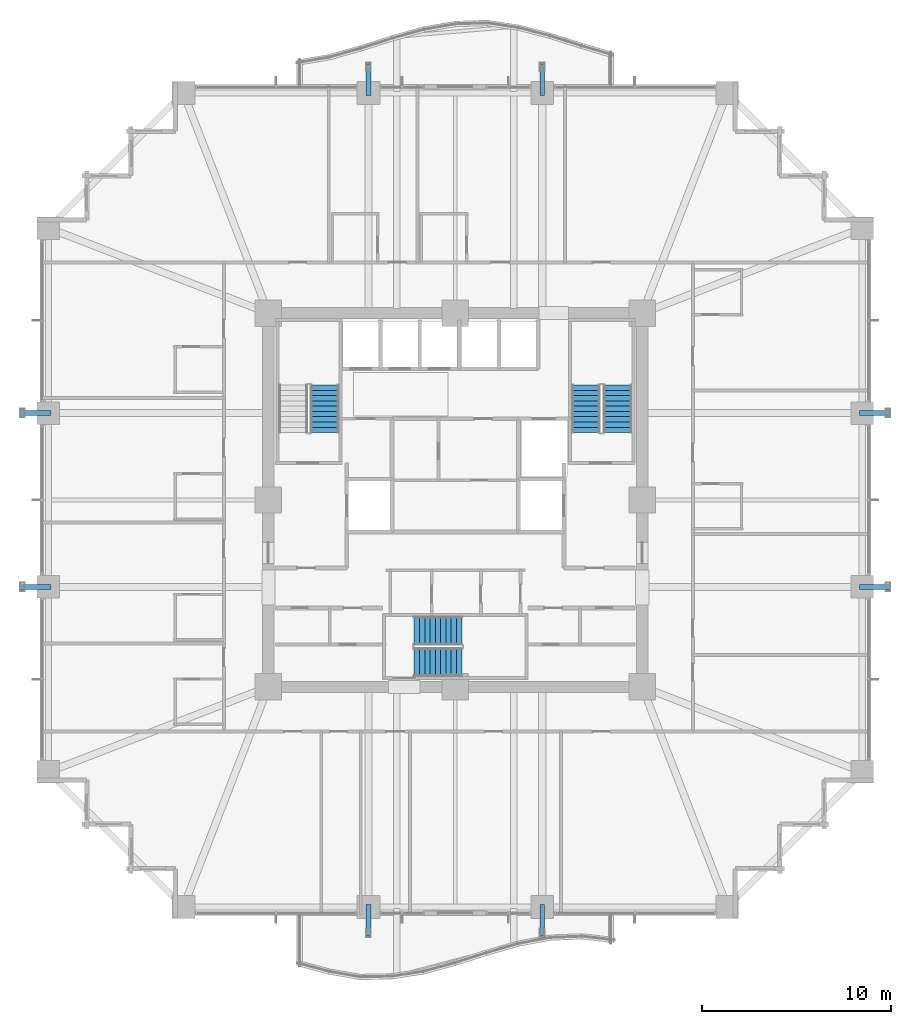
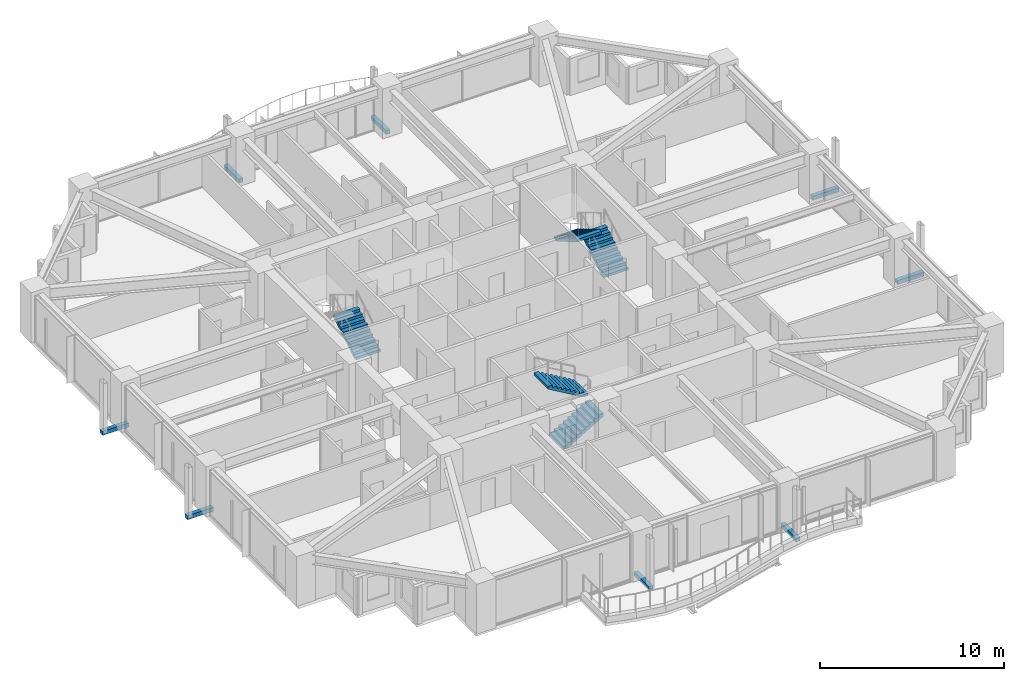
# One storey, part 36 of 38: 8 discrete accessories, 5 stair flights, 3 elements without a shape of their own.
"""IFC4 building model written with IfcOpenShell, lengths in metres."""

import ifcopenshell
import ifcopenshell.guid

model = None  # the IFC model being written
_history = None  # IfcOwnerHistory: only IFC2X3 demands one
_inside = {}  # id of a spatial element -> (the spatial element, [elements in it])
_under = {}  # id of a project, library or spatial element -> (it, [spatial elements below it])
_declared = {}  # id of a project -> (the project, [libraries it declares])
_typed = {}  # id of a type object -> (the type object, [elements of that type])
_made_of = {}  # id of a material, layer set ... -> (it, [elements and type objects made of it])


def new_model(schema):
    """Start an empty IFC model of exactly this schema.

    Asked for "IFC4X3", IfcOpenShell would pick the latest addendum, in which some entities
    have other attributes; the version numbers below select the first issue.
    IFC2X3 requires an IfcOwnerHistory on every rooted entity: one is made here for all.
    """
    global model, _history
    if schema == "IFC4X3":
        model = ifcopenshell.file(schema_version=(4, 3, 0, 0))
    else:
        model = ifcopenshell.file(schema=schema)
    _inside.clear()
    _under.clear()
    _declared.clear()
    _typed.clear()
    _made_of.clear()
    _history = None
    if model.schema == "IFC2X3":
        org = make("IfcOrganization", Name="unknown")
        user = make(
            "IfcPersonAndOrganization",
            ThePerson=make("IfcPerson", FamilyName="unknown"),
            TheOrganization=org,
        )
        app = make(
            "IfcApplication",
            ApplicationDeveloper=org,
            Version="unknown",
            ApplicationFullName="unknown",
            ApplicationIdentifier="unknown",
        )
        _history = make(
            "IfcOwnerHistory",
            OwningUser=user,
            OwningApplication=app,
            ChangeAction="ADDED",
            CreationDate=0,
        )
    return model


def make(cls, **values):
    """One entity of the class cls with the attributes given. An attribute that is None is left unset."""
    return model.create_entity(
        cls, **{name: value for name, value in values.items() if value is not None}
    )


def rooted(cls, **values):
    """An entity with a GlobalId (a new one), such as an element, a storey or a relation."""
    return make(cls, GlobalId=ifcopenshell.guid.new(), OwnerHistory=_history, **values)


def si_unit(unit_type, name, prefix=None):
    """IfcSIUnit, for example si_unit("LENGTHUNIT", "METRE", prefix="MILLI")."""
    return make("IfcSIUnit", UnitType=unit_type, Prefix=prefix, Name=name)


def assignment(units):
    """IfcUnitAssignment: the units of a project."""
    return None if units is None else make("IfcUnitAssignment", Units=units)


def point(xyz):
    """IfcCartesianPoint."""
    return None if xyz is None else make("IfcCartesianPoint", Coordinates=xyz)


def direction(xyz):
    """IfcDirection."""
    return None if xyz is None else make("IfcDirection", DirectionRatios=xyz)


def frame(location, z_axis=None, x_axis=None):
    """IfcAxis2Placement3D, a coordinate frame: its origin and axes. An axis left out is left unset."""
    return make(
        "IfcAxis2Placement3D",
        Location=point(location),
        Axis=direction(z_axis),
        RefDirection=direction(x_axis),
    )


def frame_2d(location, x_axis=None):
    """IfcAxis2Placement2D, a coordinate frame in the plane: its origin and x axis."""
    return make(
        "IfcAxis2Placement2D", Location=point(location), RefDirection=direction(x_axis)
    )


def origin():
    """The frame at (0, 0, 0) with its axes left unset."""
    return frame((0.0, 0.0, 0.0))


def origin_2d():
    """The frame at (0, 0) in the plane with its x axis left unset."""
    return frame_2d((0.0, 0.0))


def place(relative_to, where):
    """IfcLocalPlacement: puts the frame where relative to a parent placement (None: the world)."""
    return make(
        "IfcLocalPlacement", PlacementRelTo=relative_to, RelativePlacement=where
    )


def context(
    kind, dimensions, precision=None, world=None, true_north=None, identifier=None
):
    """IfcGeometricRepresentationContext, for example the 3D "Model" context."""
    return make(
        "IfcGeometricRepresentationContext",
        ContextIdentifier=identifier,
        ContextType=kind,
        CoordinateSpaceDimension=dimensions,
        Precision=precision,
        WorldCoordinateSystem=world,
        TrueNorth=true_north,
    )


def subcontext(parent, identifier, kind, view, scale=None):
    """IfcGeometricRepresentationSubContext, for example "Body" below "Model"."""
    return make(
        "IfcGeometricRepresentationSubContext",
        ContextIdentifier=identifier,
        ContextType=kind,
        ParentContext=parent,
        TargetScale=scale,
        TargetView=view,
    )


def project(units=None, contexts=None):
    """IfcProject with its units and contexts."""
    return rooted(
        "IfcProject",
        Name="project",
        RepresentationContexts=contexts,
        UnitsInContext=assignment(units),
    )


def spatial(cls, under=None, at=None, **own):
    """A site, building, storey or space (cls), placed at a placement, below another one or the project."""
    s = rooted(cls, ObjectPlacement=at, **own)
    if under is not None:
        _under.setdefault(under.id(), (under, []))[1].append(s)
    return s


def polyline(points):
    """IfcPolyline through the points."""
    return make("IfcPolyline", Points=[point(p) for p in points])


def profile(cls, at=None, kind="AREA", **sizes):
    """A parametric profile (cls). Its sizes go by their IFC names, for example OverallWidth=200.0."""
    return make(cls, ProfileType=kind, Position=at, **sizes)


def rectangle(**sizes):
    """IfcRectangleProfileDef."""
    return profile("IfcRectangleProfileDef", **sizes)


def outline(outer, holes=None, kind="AREA"):
    """IfcArbitraryClosedProfileDef: a profile drawn as a closed curve; with holes, ...WithVoids."""
    if holes is None:
        return make("IfcArbitraryClosedProfileDef", ProfileType=kind, OuterCurve=outer)
    return make(
        "IfcArbitraryProfileDefWithVoids",
        ProfileType=kind,
        OuterCurve=outer,
        InnerCurves=holes,
    )


def extrude(swept, where, along, depth):
    """IfcExtrudedAreaSolid: the profile swept, set in the frame where, extruded along a direction by depth."""
    return make(
        "IfcExtrudedAreaSolid",
        SweptArea=swept,
        Position=where,
        ExtrudedDirection=direction(along),
        Depth=depth,
    )


def shape(context_of_items, identifier, shape_type, items):
    """IfcShapeRepresentation: the items that make up one representation, for example the "Body"."""
    return make(
        "IfcShapeRepresentation",
        ContextOfItems=context_of_items,
        RepresentationIdentifier=identifier,
        RepresentationType=shape_type,
        Items=items,
    )


def material(Name=None, Category=None):
    """IfcMaterial."""
    return make("IfcMaterial", Name=Name, Category=Category)


def made_of(thing, what):
    """Note that an element or type object is made of a material, layer set ...; save() writes the relation."""
    if what is not None:
        _made_of.setdefault(what.id(), (what, []))[1].append(thing)
    return thing


def type_object(cls, material=None, **own):
    """A type object (cls), such as IfcWallType, which elements share."""
    return made_of(rooted(cls, **own), material)


def element(
    cls,
    number,
    at=None,
    inside=None,
    cuts=None,
    type_object=None,
    material=None,
    context=None,
    identifier="Body",
    shape_type=None,
    held_by="IfcProductDefinitionShape",
    body=None,
    shapes=None,
    **own,
):
    """One element of the class cls, such as IfcWall. Its Tag is "e" and its number.

    at: its placement. inside: the storey or other place that contains it. cuts: it is an
    opening in that element (IfcRelVoidsElement). A single representation is given by context,
    identifier, shape_type and body (its items); several are given by shapes. held_by: the class
    of the entity that holds the representations. save() writes the other relations.
    """
    e = rooted(cls, Tag="e%d" % number, ObjectPlacement=at, **own)
    if body is not None:
        shapes = [shape(context, identifier, shape_type, body)]
    if shapes is not None:
        e.Representation = make(held_by, Representations=shapes)
    if inside is not None:
        _inside.setdefault(inside.id(), (inside, []))[1].append(e)
    if cuts is not None:
        rooted(
            "IfcRelVoidsElement", RelatingBuildingElement=cuts, RelatedOpeningElement=e
        )
    if type_object is not None:
        _typed.setdefault(type_object.id(), (type_object, []))[1].append(e)
    return made_of(e, material)


def aggregate(whole, parts):
    """IfcRelAggregates: a whole, such as a stair, and the parts it consists of."""
    return rooted("IfcRelAggregates", RelatingObject=whole, RelatedObjects=parts)


def save(model, path):
    """Write the relations noted so far, then the file.

    IfcRelAggregates (storeys below a building ...), IfcRelContainedInSpatialStructure (elements
    in a storey), IfcRelDefinesByType, IfcRelAssociatesMaterial and IfcRelDeclares: one each for
    every whole, place, type object, material and project.
    """
    for whole, parts in _under.values():
        aggregate(whole, parts)
    for where, things in _inside.values():
        rooted(
            "IfcRelContainedInSpatialStructure",
            RelatedElements=things,
            RelatingStructure=where,
        )
    for kind, things in _typed.values():
        rooted("IfcRelDefinesByType", RelatedObjects=things, RelatingType=kind)
    for what, things in _made_of.values():
        rooted("IfcRelAssociatesMaterial", RelatedObjects=things, RelatingMaterial=what)
    for by, libraries in _declared.values():
        rooted("IfcRelDeclares", RelatingContext=by, RelatedDefinitions=libraries)
    model.write(path)


model = new_model("IFC4")

# Units and contexts
model_context = context("Model", 3, precision=1e-05, world=origin(), true_north=direction((0.0, 1.0)))
body_context = subcontext(model_context, "Body", "Model", "MODEL_VIEW")
ifc_project = project(units=[si_unit("LENGTHUNIT", "METRE"), si_unit("AREAUNIT", "SQUARE_METRE"), si_unit("VOLUMEUNIT", "CUBIC_METRE"), si_unit("PLANEANGLEUNIT", "RADIAN"), si_unit("MASSUNIT", "GRAM", prefix="KILO")], contexts=[model_context])

# Site, building, storey
site_placement = place(None, origin())
site = spatial("IfcSite", under=ifc_project, at=site_placement, CompositionType="ELEMENT")
building_placement = place(site_placement, origin())
building = spatial("IfcBuilding", under=site, at=building_placement, Name="Kolvaren Belvedere", CompositionType="ELEMENT")
storey_placement = place(building_placement, frame((0.0, 0.0, 50.199951171875)))
storey = spatial("IfcBuildingStorey", under=building, at=storey_placement, Name="L14", CompositionType="ELEMENT", Elevation=50.199951171875)

# Stair, stair flight
ifc_material_1 = material(Name="Concrete C50/60", Category="concrete")
stair_type = type_object("IfcStairType", Name="ST-CORE-1520", PredefinedType="HALF_TURN_STAIR", material=ifc_material_1)
stair_1_placement = place(storey_placement, origin())
stair_1 = element("IfcStair", 1, at=stair_1_placement, inside=storey, type_object=stair_type, Name="L14 Protected Exit Stair ST-1", PredefinedType="HALF_TURN_STAIR")
ifc_material_2 = material(Name="Concrete C50/60", Category="concrete")
stair_flight_type = type_object("IfcStairFlightType", Name="SF-STR-1520", PredefinedType="STRAIGHT", material=ifc_material_2)
stair_flight_1_placement = place(storey_placement, frame((-6.919921875, 3.570068359375, 0.0), z_axis=(0.0, 0.0, 1.0), x_axis=(0.0, 1.0, 0.0)))
stair_flight_1 = element("IfcStairFlight", 2, at=stair_flight_1_placement, type_object=stair_flight_type, Name="ST-1 flight 1", NumberOfRisers=10, NumberOfTreads=9, PredefinedType="STRAIGHT", RiserHeight=0.165, TreadLength=0.28, context=body_context, shape_type="SweptSolid", body=[
    extrude(outline(polyline([(0.0, 0.0), (0.0, 0.1650390625), (0.280029296875, 0.1650390625), (0.280029296875, 0.330078125), (0.56005859375, 0.330078125), (0.56005859375, 0.4951171875), (0.840087890625, 0.4951171875), (0.840087890625, 0.659912109375), (1.1201171875, 0.659912109375), (1.1201171875, 0.824951171875), (1.39990234375, 0.824951171875), (1.39990234375, 0.989990234375), (1.679931640625, 0.989990234375), (1.679931640625, 1.155029296875), (1.9599609375, 1.155029296875), (1.9599609375, 1.320068359375), (2.239990234375, 1.320068359375), (2.239990234375, 1.485107421875), (2.52001953125, 1.485107421875), (2.52001953125, 1.64990234375), (2.52001953125, 1.31103515625), (0.295166015625, 0.0), (0.0, 0.0)])), frame((0.0, 0.760009765625, 0.0), z_axis=(0.0, -1.0, 0.0), x_axis=(1.0, 0.0, 0.0)), (0.0, 0.0, 1.0), 1.52001953125),
])
aggregate(stair_1, [stair_flight_1])

# Stair, stair flights
stair_2_placement = place(storey_placement, origin())
stair_2 = element("IfcStair", 3, at=stair_2_placement, inside=storey, type_object=stair_type, Name="L14 Protected Exit Stair ST-2", PredefinedType="HALF_TURN_STAIR")
stair_flight_2_placement = place(storey_placement, frame((8.590087890625, 3.570068359375, 0.0), z_axis=(0.0, 0.0, 1.0), x_axis=(0.0, 1.0, 0.0)))
stair_flight_2 = element("IfcStairFlight", 4, at=stair_flight_2_placement, type_object=stair_flight_type, Name="ST-2 flight 1", NumberOfRisers=10, NumberOfTreads=9, PredefinedType="STRAIGHT", RiserHeight=0.165, TreadLength=0.28, context=body_context, shape_type="SweptSolid", body=[
    extrude(outline(polyline([(0.0, 0.0), (0.0, 0.1650390625), (0.280029296875, 0.1650390625), (0.280029296875, 0.330078125), (0.56005859375, 0.330078125), (0.56005859375, 0.4951171875), (0.840087890625, 0.4951171875), (0.840087890625, 0.659912109375), (1.1201171875, 0.659912109375), (1.1201171875, 0.824951171875), (1.39990234375, 0.824951171875), (1.39990234375, 0.989990234375), (1.679931640625, 0.989990234375), (1.679931640625, 1.155029296875), (1.9599609375, 1.155029296875), (1.9599609375, 1.320068359375), (2.239990234375, 1.320068359375), (2.239990234375, 1.485107421875), (2.52001953125, 1.485107421875), (2.52001953125, 1.64990234375), (2.52001953125, 1.31103515625), (0.295166015625, 0.0), (0.0, 0.0)])), frame((0.0, 0.760009765625, 0.0), z_axis=(0.0, -1.0, 0.0), x_axis=(1.0, 0.0, 0.0)), (0.0, 0.0, 1.0), 1.52001953125),
])
stair_flight_3_placement = place(storey_placement, frame((6.919921875, 6.090087890625, 1.650146484375), z_axis=(0.0, 0.0, 1.0), x_axis=(0.0, -1.0, 0.0)))
stair_flight_3 = element("IfcStairFlight", 5, at=stair_flight_3_placement, type_object=stair_flight_type, Name="ST-2 flight 2", NumberOfRisers=10, NumberOfTreads=9, PredefinedType="STRAIGHT", RiserHeight=0.165, TreadLength=0.28, context=body_context, shape_type="SweptSolid", body=[
    extrude(outline(polyline([(0.0, 0.0), (0.0, 0.1650390625), (0.280029296875, 0.1650390625), (0.280029296875, 0.330078125), (0.56005859375, 0.330078125), (0.56005859375, 0.4951171875), (0.840087890625, 0.4951171875), (0.840087890625, 0.659912109375), (1.1201171875, 0.659912109375), (1.1201171875, 0.824951171875), (1.39990234375, 0.824951171875), (1.39990234375, 0.989990234375), (1.679931640625, 0.989990234375), (1.679931640625, 1.155029296875), (1.9599609375, 1.155029296875), (1.9599609375, 1.320068359375), (2.239990234375, 1.320068359375), (2.239990234375, 1.485107421875), (2.52001953125, 1.485107421875), (2.52001953125, 1.64990234375), (2.52001953125, 1.31103515625), (0.295166015625, 0.0), (0.0, 0.0)])), frame((0.0, 0.760009765625, 0.0), z_axis=(0.0, -1.0, 0.0), x_axis=(1.0, 0.0, 0.0)), (0.0, 0.0, 1.0), 1.52001953125),
])
aggregate(stair_2, [stair_flight_2, stair_flight_3])

stair_3_placement = place(storey_placement, origin())
stair_3 = element("IfcStair", 6, at=stair_3_placement, inside=storey, type_object=stair_type, Name="L14 Protected Exit Stair ST-3", PredefinedType="HALF_TURN_STAIR")
stair_flight_4_placement = place(storey_placement, frame((-2.179931640625, -8.590087890625, 0.0), z_axis=(0.0, 0.0, 1.0), x_axis=(1.0, 0.0, 0.0)))
stair_flight_4 = element("IfcStairFlight", 7, at=stair_flight_4_placement, type_object=stair_flight_type, Name="ST-3 flight 1", NumberOfRisers=10, NumberOfTreads=9, PredefinedType="STRAIGHT", RiserHeight=0.165, TreadLength=0.28, context=body_context, shape_type="SweptSolid", body=[
    extrude(outline(polyline([(0.0, 0.0), (0.0, 0.1650390625), (0.280029296875, 0.1650390625), (0.280029296875, 0.330078125), (0.56005859375, 0.330078125), (0.56005859375, 0.4951171875), (0.840087890625, 0.4951171875), (0.840087890625, 0.659912109375), (1.1201171875, 0.659912109375), (1.1201171875, 0.824951171875), (1.39990234375, 0.824951171875), (1.39990234375, 0.989990234375), (1.679931640625, 0.989990234375), (1.679931640625, 1.155029296875), (1.9599609375, 1.155029296875), (1.9599609375, 1.320068359375), (2.239990234375, 1.320068359375), (2.239990234375, 1.485107421875), (2.52001953125, 1.485107421875), (2.52001953125, 1.64990234375), (2.52001953125, 1.31103515625), (0.295166015625, 0.0), (0.0, 0.0)])), frame((0.0, 0.760009765625, 0.0), z_axis=(0.0, -1.0, 0.0), x_axis=(1.0, 0.0, 0.0)), (0.0, 0.0, 1.0), 1.52001953125),
])
stair_flight_5_placement = place(storey_placement, frame((0.340087890625, -6.919921875, 1.650146484375), z_axis=(0.0, 0.0, 1.0), x_axis=(-1.0, 0.0, 0.0)))
stair_flight_5 = element("IfcStairFlight", 8, at=stair_flight_5_placement, type_object=stair_flight_type, Name="ST-3 flight 2", NumberOfRisers=10, NumberOfTreads=9, PredefinedType="STRAIGHT", RiserHeight=0.165, TreadLength=0.28, context=body_context, shape_type="SweptSolid", body=[
    extrude(outline(polyline([(0.0, 0.0), (0.0, 0.1650390625), (0.280029296875, 0.1650390625), (0.280029296875, 0.330078125), (0.56005859375, 0.330078125), (0.56005859375, 0.4951171875), (0.840087890625, 0.4951171875), (0.840087890625, 0.659912109375), (1.1201171875, 0.659912109375), (1.1201171875, 0.824951171875), (1.39990234375, 0.824951171875), (1.39990234375, 0.989990234375), (1.679931640625, 0.989990234375), (1.679931640625, 1.155029296875), (1.9599609375, 1.155029296875), (1.9599609375, 1.320068359375), (2.239990234375, 1.320068359375), (2.239990234375, 1.485107421875), (2.52001953125, 1.485107421875), (2.52001953125, 1.64990234375), (2.52001953125, 1.31103515625), (0.295166015625, 0.0), (0.0, 0.0)])), frame((0.0, 0.760009765625, 0.0), z_axis=(0.0, -1.0, 0.0), x_axis=(1.0, 0.0, 0.0)), (0.0, 0.0, 1.0), 1.52001953125),
])
aggregate(stair_3, [stair_flight_4, stair_flight_5])

# Discrete accessories
ifc_material_3 = material(Name="Structural steel ASTM A572 Grade 50", Category="steel")
discrete_accessory_type = type_object("IfcDiscreteAccessoryType", Name="BRK-1 Steel Facade Support Bracket", PredefinedType="BRACKET", material=ifc_material_3)
for number, where, z_axis, x_axis, name in (
    (9, (-4.60009765625, 22.235107421875, -0.169921875), (0.0, 0.0, 1.0), (0.0, 1.0, 0.0), "L14 Picture-Frame Outrigger Cleat Bracket N1"),
    (10, (4.60009765625, 22.235107421875, -0.169921875), (0.0, 0.0, 1.0), (0.0, 1.0, 0.0), "L14 Picture-Frame Outrigger Cleat Bracket N2"),
    (11, (4.60009765625, -22.235107421875, -0.169921875), (0.0, 0.0, 1.0), (0.0, 1.0, 0.0), "L14 Picture-Frame Outrigger Cleat Bracket S1"),
    (12, (-4.60009765625, -22.235107421875, -0.169921875), (0.0, 0.0, 1.0), (0.0, 1.0, 0.0), "L14 Picture-Frame Outrigger Cleat Bracket S2"),
    (13, (22.235107421875, 4.60009765625, -0.169921875), (0.0, 0.0, 1.0), (1.0, 0.0, 0.0), "L14 Picture-Frame Outrigger Cleat Bracket E1"),
    (14, (22.235107421875, -4.60009765625, -0.169921875), (0.0, 0.0, 1.0), (1.0, 0.0, 0.0), "L14 Picture-Frame Outrigger Cleat Bracket E2"),
    (15, (-22.235107421875, -4.60009765625, -0.169921875), (0.0, 0.0, 1.0), (1.0, 0.0, 0.0), "L14 Picture-Frame Outrigger Cleat Bracket W1"),
    (16, (-22.235107421875, 4.60009765625, -0.169921875), (0.0, 0.0, 1.0), (1.0, 0.0, 0.0), "L14 Picture-Frame Outrigger Cleat Bracket W2"),
):
    element("IfcDiscreteAccessory", number, at=place(storey_placement, frame(where, z_axis=z_axis, x_axis=x_axis)), inside=storey, type_object=discrete_accessory_type, Name=name, PredefinedType="BRACKET", context=body_context, shape_type="SweptSolid", body=[
        extrude(rectangle(XDim=1.639892578125, YDim=0.260009765625, at=origin_2d()), origin(), (0.0, 0.0, 1.0), 0.260009765625),
    ])

save(model, "model.ifc")
